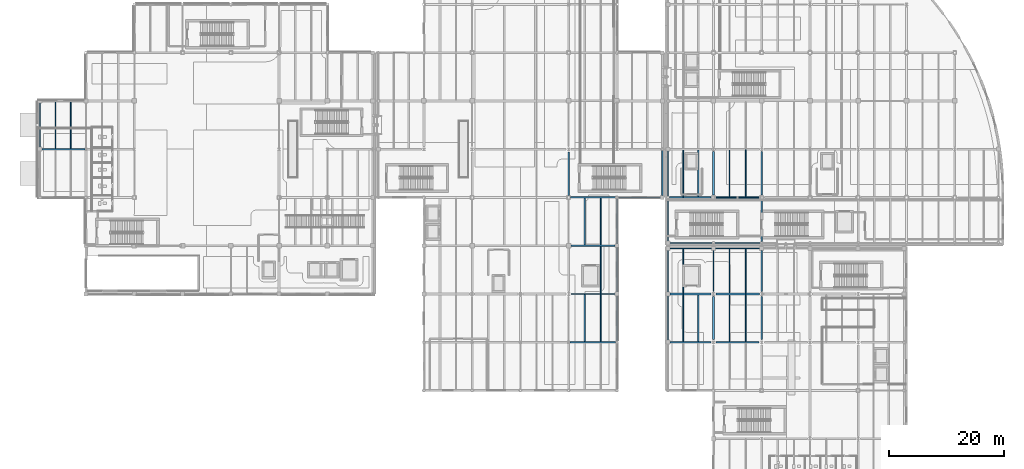
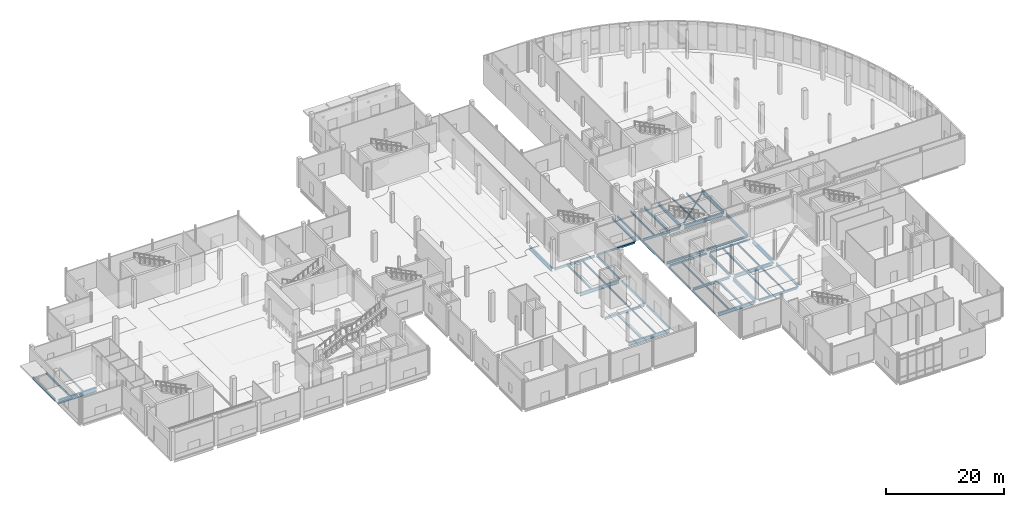
# One storey, part 20 of 85: 51 beams, 2 members.
"""IFC4 building model written with IfcOpenShell, lengths in metres."""

from ifc_helpers import new_model, si_unit, direction, frame, origin, origin_2d, place, context, subcontext, project, spatial, hollow_rectangle, i_section, extrude, material, material_profile, profile_set, type_object, element, save


model = new_model("IFC4")

# Units and contexts
model_context = context("Model", 3, precision=1e-05, world=origin(), true_north=direction((0.0, 1.0)))
body_context = subcontext(model_context, "Body", "Model", "MODEL_VIEW")
ifc_project = project(units=[si_unit("LENGTHUNIT", "METRE"), si_unit("AREAUNIT", "SQUARE_METRE"), si_unit("VOLUMEUNIT", "CUBIC_METRE"), si_unit("PLANEANGLEUNIT", "RADIAN"), si_unit("MASSUNIT", "GRAM", prefix="KILO"), si_unit("THERMODYNAMICTEMPERATUREUNIT", "KELVIN")], contexts=[model_context])

# Site, building, storey
site_placement = place(None, origin())
site = spatial("IfcSite", under=ifc_project, at=site_placement, CompositionType="ELEMENT")
building_placement = place(site_placement, origin())
building = spatial("IfcBuilding", under=site, at=building_placement, Name="Lustrewick Department Store", CompositionType="ELEMENT")
storey_placement = place(building_placement, origin())
storey = spatial("IfcBuildingStorey", under=building, at=storey_placement, Name="L01", CompositionType="ELEMENT", Elevation=0.0)

# Beams
ifc_material_1 = material(Name="Structural steel Q355B", Category="steel")
ifc_material_profile_1 = material_profile(ifc_material_1, i_section(OverallWidth=0.199951171875, OverallDepth=0.5, WebThickness=0.010009765625, FlangeThickness=0.01611328125, FilletRadius=0.01611328125, at=origin_2d()), Name="HN 500x200x10x16")
ifc_profile_set_1 = profile_set([ifc_material_profile_1], Name="Structural steel Q355B")
beam_type_1 = type_object("IfcBeamType", Name="B01", PredefinedType="JOIST", material=ifc_profile_set_1)
beam_1_placement = place(storey_placement, frame((114.966796875, 33.75, -0.52001953125), z_axis=(0.0, 1.0, 0.0), x_axis=(-1.0, 0.0, 0.0)))
element("IfcBeam", 1, at=beam_1_placement, inside=storey, type_object=beam_type_1, Name="L01 V3 Secondary Joist B01", PredefinedType="JOIST", context=body_context, shape_type="SweptSolid", body=[
    extrude(i_section(OverallWidth=0.199951171875, OverallDepth=0.5, WebThickness=0.010009765625, FlangeThickness=0.01611328125, FilletRadius=0.01611328125, at=origin_2d()), origin(), (0.0, 0.0, 1.0), 8.10009765625),
])
beam_2_placement = place(storey_placement, frame((114.966796875, 58.925048828125, -0.52001953125), z_axis=(0.0, 1.0, 0.0), x_axis=(-1.0, 0.0, 0.0)))
element("IfcBeam", 2, at=beam_2_placement, inside=storey, type_object=beam_type_1, Name="L01 V4 Secondary Joist B01", PredefinedType="JOIST", context=body_context, shape_type="SweptSolid", body=[
    extrude(i_section(OverallWidth=0.199951171875, OverallDepth=0.5, WebThickness=0.010009765625, FlangeThickness=0.01611328125, FilletRadius=0.01611328125, at=origin_2d()), origin(), (0.0, 0.0, 1.0), 8.125),
])
ifc_material_profile_2 = material_profile(ifc_material_1, i_section(OverallWidth=0.199951171875, OverallDepth=0.39990234375, WebThickness=0.008056640625, FlangeThickness=0.012939453125, FilletRadius=0.013916015625, at=origin_2d()), Name="HN 400x200x8x13")
ifc_profile_set_2 = profile_set([ifc_material_profile_2], Name="Structural steel Q355B")
beam_type_2 = type_object("IfcBeamType", Name="B05", PredefinedType="JOIST", material=ifc_profile_set_2)
beam_3_placement = place(storey_placement, frame((3.066650390625, 67.35107421875, -0.469970703125), z_axis=(0.0, 1.0, 0.0), x_axis=(-1.0, 0.0, 0.0)))
element("IfcBeam", 3, at=beam_3_placement, inside=storey, type_object=beam_type_2, Name="L01 V1 Secondary Joist B05", PredefinedType="JOIST", context=body_context, shape_type="SweptSolid", body=[
    extrude(i_section(OverallWidth=0.199951171875, OverallDepth=0.39990234375, WebThickness=0.008056640625, FlangeThickness=0.012939453125, FilletRadius=0.013916015625, at=origin_2d()), origin(), (0.0, 0.0, 1.0), 8.098876953125),
])
beam_4_placement = place(storey_placement, frame((120.39990234375, 33.72509765625, -0.469970703125), z_axis=(0.0, 1.0, 0.0), x_axis=(-1.0, 0.0, 0.0)))
element("IfcBeam", 4, at=beam_4_placement, inside=storey, type_object=beam_type_2, Name="L01 V3 Secondary Joist B05", PredefinedType="JOIST", context=body_context, shape_type="SweptSolid", body=[
    extrude(i_section(OverallWidth=0.199951171875, OverallDepth=0.39990234375, WebThickness=0.008056640625, FlangeThickness=0.012939453125, FilletRadius=0.013916015625, at=origin_2d()), origin(), (0.0, 0.0, 1.0), 8.125),
])
beam_5_placement = place(storey_placement, frame((120.39990234375, 42.14990234375, -0.469970703125), z_axis=(0.0, 1.0, 0.0), x_axis=(-1.0, 0.0, 0.0)))
element("IfcBeam", 5, at=beam_5_placement, inside=storey, type_object=beam_type_2, Name="L01 V3 Secondary Joist B05", PredefinedType="JOIST", context=body_context, shape_type="SweptSolid", body=[
    extrude(i_section(OverallWidth=0.199951171875, OverallDepth=0.39990234375, WebThickness=0.008056640625, FlangeThickness=0.012939453125, FilletRadius=0.013916015625, at=origin_2d()), origin(), (0.0, 0.0, 1.0), 7.650146484375),
])
beam_6_placement = place(storey_placement, frame((120.39990234375, 58.950927734375, -0.469970703125), z_axis=(0.0, 1.0, 0.0), x_axis=(-1.0, 0.0, 0.0)))
element("IfcBeam", 6, at=beam_6_placement, inside=storey, type_object=beam_type_2, Name="L01 V4 Secondary Joist B05", PredefinedType="JOIST", context=body_context, shape_type="SweptSolid", body=[
    extrude(i_section(OverallWidth=0.199951171875, OverallDepth=0.39990234375, WebThickness=0.008056640625, FlangeThickness=0.012939453125, FilletRadius=0.013916015625, at=origin_2d()), origin(), (0.0, 0.0, 1.0), 8.1240234375),
])
ifc_material_profile_3 = material_profile(ifc_material_1, i_section(OverallWidth=0.198974609375, OverallDepth=0.39599609375, WebThickness=0.007080078125, FlangeThickness=0.010986328125, FilletRadius=0.013916015625, at=origin_2d()), Name="HN 396x199x7x11")
ifc_profile_set_3 = profile_set([ifc_material_profile_3], Name="Structural steel Q355B")
beam_type_3 = type_object("IfcBeamType", Name="B06", PredefinedType="JOIST", material=ifc_profile_set_3)
for number, where, z_axis, x_axis, name in (
    (7, (95.199951171875, 33.75, -0.468017578125), (0.0, 1.0, 0.0), (-1.0, 0.0, 0.0), "L01 V2 Secondary Joist B06"),
    (8, (95.199951171875, 50.550048828125, -0.468017578125), (0.0, 1.0, 0.0), (-1.0, 0.0, 0.0), "L01 V2 Secondary Joist B06"),
):
    element("IfcBeam", number, at=place(storey_placement, frame(where, z_axis=z_axis, x_axis=x_axis)), inside=storey, type_object=beam_type_3, Name=name, PredefinedType="JOIST", context=body_context, shape_type="SweptSolid", body=[
        extrude(i_section(OverallWidth=0.198974609375, OverallDepth=0.39599609375, WebThickness=0.007080078125, FlangeThickness=0.010986328125, FilletRadius=0.013916015625, at=origin_2d()), origin(), (0.0, 0.0, 1.0), 8.125),
    ])
ifc_material_profile_4 = material_profile(ifc_material_1, i_section(OverallWidth=0.175048828125, OverallDepth=0.35009765625, WebThickness=0.007080078125, FlangeThickness=0.010986328125, FilletRadius=0.012939453125, at=origin_2d()), Name="HN 350x175x7x11")
ifc_profile_set_4 = profile_set([ifc_material_profile_4], Name="Structural steel Q355B")
beam_type_4 = type_object("IfcBeamType", Name="B09", PredefinedType="JOIST", material=ifc_profile_set_4)
beam_7_placement = place(storey_placement, frame((5.7333984375, 67.35107421875, -0.445068359375), z_axis=(0.0, 1.0, 0.0), x_axis=(-1.0, 0.0, 0.0)))
element("IfcBeam", 9, at=beam_7_placement, inside=storey, type_object=beam_type_4, Name="L01 V1 Secondary Joist B09", PredefinedType="JOIST", context=body_context, shape_type="SweptSolid", body=[
    extrude(i_section(OverallWidth=0.175048828125, OverallDepth=0.35009765625, WebThickness=0.007080078125, FlangeThickness=0.010986328125, FilletRadius=0.012939453125, at=origin_2d()), origin(), (0.0, 0.0, 1.0), 8.098876953125),
])
beam_8_placement = place(storey_placement, frame((123.199951171875, 33.72509765625, -0.445068359375), z_axis=(0.0, 1.0, 0.0), x_axis=(-1.0, 0.0, 0.0)))
element("IfcBeam", 10, at=beam_8_placement, inside=storey, type_object=beam_type_4, Name="L01 V3 Secondary Joist B09", PredefinedType="JOIST", context=body_context, shape_type="SweptSolid", body=[
    extrude(i_section(OverallWidth=0.175048828125, OverallDepth=0.35009765625, WebThickness=0.007080078125, FlangeThickness=0.010986328125, FilletRadius=0.012939453125, at=origin_2d()), origin(), (0.0, 0.0, 1.0), 8.125),
])
beam_9_placement = place(storey_placement, frame((123.199951171875, 42.14990234375, -0.445068359375), z_axis=(0.0, 1.0, 0.0), x_axis=(-1.0, 0.0, 0.0)))
element("IfcBeam", 11, at=beam_9_placement, inside=storey, type_object=beam_type_4, Name="L01 V3 Secondary Joist B09", PredefinedType="JOIST", context=body_context, shape_type="SweptSolid", body=[
    extrude(i_section(OverallWidth=0.175048828125, OverallDepth=0.35009765625, WebThickness=0.007080078125, FlangeThickness=0.010986328125, FilletRadius=0.012939453125, at=origin_2d()), origin(), (0.0, 0.0, 1.0), 7.650146484375),
])
beam_10_placement = place(storey_placement, frame((123.199951171875, 58.950927734375, -0.445068359375), z_axis=(0.0, 1.0, 0.0), x_axis=(-1.0, 0.0, 0.0)))
element("IfcBeam", 12, at=beam_10_placement, inside=storey, type_object=beam_type_4, Name="L01 V4 Secondary Joist B09", PredefinedType="JOIST", context=body_context, shape_type="SweptSolid", body=[
    extrude(i_section(OverallWidth=0.175048828125, OverallDepth=0.35009765625, WebThickness=0.007080078125, FlangeThickness=0.010986328125, FilletRadius=0.012939453125, at=origin_2d()), origin(), (0.0, 0.0, 1.0), 8.1240234375),
])
ifc_material_profile_5 = material_profile(ifc_material_1, i_section(OverallWidth=0.174072265625, OverallDepth=0.345947265625, WebThickness=0.006103515625, FlangeThickness=0.009033203125, FilletRadius=0.012939453125, at=origin_2d()), Name="HN 346x174x6x9")
ifc_profile_set_5 = profile_set([ifc_material_profile_5], Name="Structural steel Q355B")
beam_type_5 = type_object("IfcBeamType", Name="B10", PredefinedType="JOIST", material=ifc_profile_set_5)
for number, where, z_axis, x_axis, name in (
    (13, (98.0, 33.75, -0.443115234375), (0.0, 1.0, 0.0), (-1.0, 0.0, 0.0), "L01 V2 Secondary Joist B10"),
    (14, (98.0, 42.125, -0.443115234375), (0.0, 1.0, 0.0), (-1.0, 0.0, 0.0), "L01 V2 Secondary Joist B10"),
    (15, (98.0, 50.550048828125, -0.443115234375), (0.0, 1.0, 0.0), (-1.0, 0.0, 0.0), "L01 V2 Secondary Joist B10"),
):
    element("IfcBeam", number, at=place(storey_placement, frame(where, z_axis=z_axis, x_axis=x_axis)), inside=storey, type_object=beam_type_5, Name=name, PredefinedType="JOIST", context=body_context, shape_type="SweptSolid", body=[
        extrude(i_section(OverallWidth=0.174072265625, OverallDepth=0.345947265625, WebThickness=0.006103515625, FlangeThickness=0.009033203125, FilletRadius=0.012939453125, at=origin_2d()), origin(), (0.0, 0.0, 1.0), 8.125),
    ])
beam_11_placement = place(storey_placement, frame((112.333251953125, 33.75, -0.443115234375), z_axis=(0.0, 1.0, 0.0), x_axis=(-1.0, 0.0, 0.0)))
element("IfcBeam", 16, at=beam_11_placement, inside=storey, type_object=beam_type_5, Name="L01 V3 Secondary Joist B10", PredefinedType="JOIST", context=body_context, shape_type="SweptSolid", body=[
    extrude(i_section(OverallWidth=0.174072265625, OverallDepth=0.345947265625, WebThickness=0.006103515625, FlangeThickness=0.009033203125, FilletRadius=0.012939453125, at=origin_2d()), origin(), (0.0, 0.0, 1.0), 8.10009765625),
])
beam_12_placement = place(storey_placement, frame((112.333251953125, 42.14990234375, -0.443115234375), z_axis=(0.0, 1.0, 0.0), x_axis=(-1.0, 0.0, 0.0)))
element("IfcBeam", 17, at=beam_12_placement, inside=storey, type_object=beam_type_5, Name="L01 V3 Secondary Joist B10", PredefinedType="JOIST", context=body_context, shape_type="SweptSolid", body=[
    extrude(i_section(OverallWidth=0.174072265625, OverallDepth=0.345947265625, WebThickness=0.006103515625, FlangeThickness=0.009033203125, FilletRadius=0.012939453125, at=origin_2d()), origin(), (0.0, 0.0, 1.0), 7.650146484375),
])
beam_13_placement = place(storey_placement, frame((112.333251953125, 58.925048828125, -0.443115234375), z_axis=(0.0, 1.0, 0.0), x_axis=(-1.0, 0.0, 0.0)))
element("IfcBeam", 18, at=beam_13_placement, inside=storey, type_object=beam_type_5, Name="L01 V4 Secondary Joist B10", PredefinedType="JOIST", context=body_context, shape_type="SweptSolid", body=[
    extrude(i_section(OverallWidth=0.174072265625, OverallDepth=0.345947265625, WebThickness=0.006103515625, FlangeThickness=0.009033203125, FilletRadius=0.012939453125, at=origin_2d()), origin(), (0.0, 0.0, 1.0), 8.125),
])

# Members
ifc_material_profile_6 = material_profile(ifc_material_1, hollow_rectangle(XDim=0.219970703125, YDim=0.219970703125, WallThickness=0.010009765625, at=origin_2d()), Name="SHS 220x220x10")
ifc_profile_set_6 = profile_set([ifc_material_profile_6], Name="Structural steel Q355B")
member_type = type_object("IfcMemberType", Name="BR08", PredefinedType="BRACE", material=ifc_profile_set_6)
for number, where, z_axis, x_axis, name in (
    (19, (117.89990234375, 58.800048828125, 0.14990234375), (0.586698234025, 0.0, 0.809805644702), (0.0, 1.0, 0.0), "L01 V4 Chevron Brace BR08"),
    (20, (125.699951171875, 58.800048828125, 0.14990234375), (-0.586698234025, 0.0, 0.809805644702), (0.0, -1.0, 0.0), "L01 V4 Chevron Brace BR08"),
):
    element("IfcMember", number, at=place(storey_placement, frame(where, z_axis=z_axis, x_axis=x_axis)), inside=storey, type_object=member_type, Name=name, PredefinedType="BRACE", context=body_context, shape_type="SweptSolid", body=[
        extrude(hollow_rectangle(XDim=0.219970703125, YDim=0.219970703125, WallThickness=0.010009765625, at=origin_2d()), origin(), (0.0, 0.0, 1.0), 6.47705078125),
    ])

# Beams
ifc_material_2 = material(Name="Structural steel Q355C", Category="steel")
ifc_material_profile_7 = material_profile(ifc_material_2, i_section(OverallWidth=0.302001953125, OverallDepth=0.912109375, WebThickness=0.01806640625, FlangeThickness=0.033935546875, FilletRadius=0.02392578125, at=origin_2d()), Name="HN 912x302x18x34")
ifc_profile_set_7 = profile_set([ifc_material_profile_7], Name="Structural steel Q355C")
beam_type_6 = type_object("IfcBeamType", Name="G01", PredefinedType="BEAM", material=ifc_profile_set_7)
beam_14_placement = place(storey_placement, frame((0.75, 67.199951171875, -0.72607421875), z_axis=(1.0, 0.0, 0.0), x_axis=(0.0, 1.0, 0.0)))
element("IfcBeam", 21, at=beam_14_placement, inside=storey, type_object=beam_type_6, Name="L01 V1 Girder G01", PredefinedType="BEAM", context=body_context, shape_type="SweptSolid", body=[
    extrude(i_section(OverallWidth=0.302001953125, OverallDepth=0.912109375, WebThickness=0.01806640625, FlangeThickness=0.033935546875, FilletRadius=0.02392578125, at=origin_2d()), origin(), (0.0, 0.0, 1.0), 7.446533203125),
])
ifc_material_profile_8 = material_profile(ifc_material_2, i_section(OverallWidth=0.302001953125, OverallDepth=0.80810546875, WebThickness=0.01611328125, FlangeThickness=0.030029296875, FilletRadius=0.02197265625, at=origin_2d()), Name="HN 808x302x16x30")
ifc_profile_set_8 = profile_set([ifc_material_profile_8], Name="Structural steel Q355C")
beam_type_7 = type_object("IfcBeamType", Name="G04", PredefinedType="BEAM", material=ifc_profile_set_8)
beam_15_placement = place(storey_placement, frame((92.39990234375, 59.14990234375, -0.674072265625), z_axis=(0.0, 1.0, 0.0), x_axis=(-1.0, 0.0, 0.0)))
element("IfcBeam", 22, at=beam_15_placement, inside=storey, type_object=beam_type_7, Name="L01 V2 Girder G04", PredefinedType="BEAM", context=body_context, shape_type="SweptSolid", body=[
    extrude(i_section(OverallWidth=0.302001953125, OverallDepth=0.80810546875, WebThickness=0.01611328125, FlangeThickness=0.030029296875, FilletRadius=0.02197265625, at=origin_2d()), origin(), (0.0, 0.0, 1.0), 7.60009765625),
])
beam_16_placement = place(storey_placement, frame((117.60009765625, 34.050048828125, -0.674072265625), z_axis=(0.0, 1.0, 0.0), x_axis=(-1.0, 0.0, 0.0)))
element("IfcBeam", 23, at=beam_16_placement, inside=storey, type_object=beam_type_7, Name="L01 V3 Girder G04", PredefinedType="BEAM", context=body_context, shape_type="SweptSolid", body=[
    extrude(i_section(OverallWidth=0.302001953125, OverallDepth=0.80810546875, WebThickness=0.01611328125, FlangeThickness=0.030029296875, FilletRadius=0.02197265625, at=origin_2d()), origin(), (0.0, 0.0, 1.0), 7.52490234375),
])
beam_17_placement = place(storey_placement, frame((126.0, 42.425048828125, -0.674072265625), z_axis=(0.0, 1.0, 0.0), x_axis=(-1.0, 0.0, 0.0)))
element("IfcBeam", 24, at=beam_17_placement, inside=storey, type_object=beam_type_7, Name="L01 V3 Girder G04", PredefinedType="BEAM", context=body_context, shape_type="SweptSolid", body=[
    extrude(i_section(OverallWidth=0.302001953125, OverallDepth=0.80810546875, WebThickness=0.01611328125, FlangeThickness=0.030029296875, FilletRadius=0.02197265625, at=origin_2d()), origin(), (0.0, 0.0, 1.0), 7.125),
])
beam_18_placement = place(storey_placement, frame((126.0, 59.25, -0.674072265625), z_axis=(0.0, 1.0, 0.0), x_axis=(-1.0, 0.0, 0.0)))
element("IfcBeam", 25, at=beam_18_placement, inside=storey, type_object=beam_type_7, Name="L01 V4 Girder G04", PredefinedType="BEAM", context=body_context, shape_type="SweptSolid", body=[
    extrude(i_section(OverallWidth=0.302001953125, OverallDepth=0.80810546875, WebThickness=0.01611328125, FlangeThickness=0.030029296875, FilletRadius=0.02197265625, at=origin_2d()), origin(), (0.0, 0.0, 1.0), 7.574951171875),
])
ifc_material_profile_9 = material_profile(ifc_material_2, i_section(OverallWidth=0.302001953125, OverallDepth=0.7080078125, WebThickness=0.014892578125, FlangeThickness=0.028076171875, FilletRadius=0.02001953125, at=origin_2d()), Name="HN 708x302x15x28")
ifc_profile_set_9 = profile_set([ifc_material_profile_9], Name="Structural steel Q355C")
beam_type_8 = type_object("IfcBeamType", Name="G07", PredefinedType="BEAM", material=ifc_profile_set_9)
beam_19_placement = place(storey_placement, frame((118.050048828125, 58.800048828125, -0.6240234375), z_axis=(1.0, 0.0, 0.0), x_axis=(0.0, 1.0, 0.0)))
element("IfcBeam", 26, at=beam_19_placement, inside=storey, type_object=beam_type_8, Name="L01 V4 Girder G07", PredefinedType="BEAM", context=body_context, shape_type="SweptSolid", body=[
    extrude(i_section(OverallWidth=0.302001953125, OverallDepth=0.7080078125, WebThickness=0.014892578125, FlangeThickness=0.028076171875, FilletRadius=0.02001953125, at=origin_2d()), origin(), (0.0, 0.0, 1.0), 7.5),
])
ifc_material_profile_10 = material_profile(ifc_material_1, i_section(OverallWidth=0.300048828125, OverallDepth=0.699951171875, WebThickness=0.012939453125, FlangeThickness=0.02392578125, FilletRadius=0.02001953125, at=origin_2d()), Name="HN 700x300x13x24")
ifc_profile_set_10 = profile_set([ifc_material_profile_10], Name="Structural steel Q355B")
beam_type_9 = type_object("IfcBeamType", Name="G08", PredefinedType="BEAM", material=ifc_profile_set_10)
beam_20_placement = place(storey_placement, frame((92.603515625, 33.60009765625, -0.6201171875), z_axis=(1.0, 0.0, 0.0), x_axis=(0.0, 1.0, 0.0)))
element("IfcBeam", 27, at=beam_20_placement, inside=storey, type_object=beam_type_9, Name="L01 V2 Girder G08", PredefinedType="BEAM", context=body_context, shape_type="SweptSolid", body=[
    extrude(i_section(OverallWidth=0.300048828125, OverallDepth=0.699951171875, WebThickness=0.012939453125, FlangeThickness=0.02392578125, FilletRadius=0.02001953125, at=origin_2d()), origin(), (0.0, 0.0, 1.0), 7.968017578125),
])
beam_21_placement = place(storey_placement, frame((92.824951171875, 50.39990234375, -0.6201171875), z_axis=(1.0, 0.0, 0.0), x_axis=(0.0, 1.0, 0.0)))
element("IfcBeam", 28, at=beam_21_placement, inside=storey, type_object=beam_type_9, Name="L01 V2 Girder G08", PredefinedType="BEAM", context=body_context, shape_type="SweptSolid", body=[
    extrude(i_section(OverallWidth=0.300048828125, OverallDepth=0.699951171875, WebThickness=0.012939453125, FlangeThickness=0.02392578125, FilletRadius=0.02001953125, at=origin_2d()), origin(), (0.0, 0.0, 1.0), 7.650146484375),
])
beam_22_placement = place(storey_placement, frame((110.050048828125, 33.60009765625, -0.6201171875), z_axis=(1.0, 0.0, 0.0), x_axis=(0.0, 1.0, 0.0)))
element("IfcBeam", 29, at=beam_22_placement, inside=storey, type_object=beam_type_9, Name="L01 V3 Girder G08", PredefinedType="BEAM", context=body_context, shape_type="SweptSolid", body=[
    extrude(i_section(OverallWidth=0.300048828125, OverallDepth=0.699951171875, WebThickness=0.012939453125, FlangeThickness=0.02392578125, FilletRadius=0.02001953125, at=origin_2d()), origin(), (0.0, 0.0, 1.0), 7.099853515625),
])
beam_23_placement = place(storey_placement, frame((118.02490234375, 42.0, -0.6201171875), z_axis=(1.0, 0.0, 0.0), x_axis=(0.0, 1.0, 0.0)))
element("IfcBeam", 30, at=beam_23_placement, inside=storey, type_object=beam_type_9, Name="L01 V3 Girder G08", PredefinedType="BEAM", context=body_context, shape_type="SweptSolid", body=[
    extrude(i_section(OverallWidth=0.300048828125, OverallDepth=0.699951171875, WebThickness=0.012939453125, FlangeThickness=0.02392578125, FilletRadius=0.02001953125, at=origin_2d()), origin(), (0.0, 0.0, 1.0), 7.550048828125),
])
ifc_material_profile_11 = material_profile(ifc_material_1, i_section(OverallWidth=0.300048828125, OverallDepth=0.58203125, WebThickness=0.011962890625, FlangeThickness=0.01708984375, FilletRadius=0.02392578125, at=origin_2d()), Name="HM 582x300x12x17")
ifc_profile_set_11 = profile_set([ifc_material_profile_11], Name="Structural steel Q355B")
beam_type_10 = type_object("IfcBeamType", Name="G12", PredefinedType="BEAM", material=ifc_profile_set_11)
beam_24_placement = place(storey_placement, frame((117.60009765625, 59.25, -0.56103515625), z_axis=(0.0, 1.0, 0.0), x_axis=(-1.0, 0.0, 0.0)))
element("IfcBeam", 31, at=beam_24_placement, inside=storey, type_object=beam_type_10, Name="L01 V4 Girder G12", PredefinedType="BEAM", context=body_context, shape_type="SweptSolid", body=[
    extrude(i_section(OverallWidth=0.300048828125, OverallDepth=0.58203125, WebThickness=0.011962890625, FlangeThickness=0.01708984375, FilletRadius=0.02392578125, at=origin_2d()), origin(), (0.0, 0.0, 1.0), 7.574951171875),
])
ifc_material_profile_12 = material_profile(ifc_material_1, i_section(OverallWidth=0.200927734375, OverallDepth=0.60595703125, WebThickness=0.011962890625, FlangeThickness=0.02001953125, FilletRadius=0.01806640625, at=origin_2d()), Name="HN 606x201x12x20")
ifc_profile_set_12 = profile_set([ifc_material_profile_12], Name="Structural steel Q355B")
beam_type_11 = type_object("IfcBeamType", Name="G13", PredefinedType="BEAM", material=ifc_profile_set_12)
beam_25_placement = place(storey_placement, frame((117.60009765625, 42.425048828125, -0.572998046875), z_axis=(0.0, 1.0, 0.0), x_axis=(-1.0, 0.0, 0.0)))
element("IfcBeam", 32, at=beam_25_placement, inside=storey, type_object=beam_type_11, Name="L01 V3 Girder G13", PredefinedType="BEAM", context=body_context, shape_type="SweptSolid", body=[
    extrude(i_section(OverallWidth=0.200927734375, OverallDepth=0.60595703125, WebThickness=0.011962890625, FlangeThickness=0.02001953125, FilletRadius=0.01806640625, at=origin_2d()), origin(), (0.0, 0.0, 1.0), 7.125),
])
beam_26_placement = place(storey_placement, frame((126.0, 34.050048828125, -0.572998046875), z_axis=(0.0, 1.0, 0.0), x_axis=(-1.0, 0.0, 0.0)))
element("IfcBeam", 33, at=beam_26_placement, inside=storey, type_object=beam_type_11, Name="L01 V3 Girder G13", PredefinedType="BEAM", context=body_context, shape_type="SweptSolid", body=[
    extrude(i_section(OverallWidth=0.200927734375, OverallDepth=0.60595703125, WebThickness=0.011962890625, FlangeThickness=0.02001953125, FilletRadius=0.01806640625, at=origin_2d()), origin(), (0.0, 0.0, 1.0), 7.52490234375),
])
beam_27_placement = place(storey_placement, frame((126.0, 51.12841796875, -0.572998046875), z_axis=(0.0, 1.0, 0.0), x_axis=(-1.0, 0.0, 0.0)))
element("IfcBeam", 34, at=beam_27_placement, inside=storey, type_object=beam_type_11, Name="L01 V4 Girder G13", PredefinedType="BEAM", context=body_context, shape_type="SweptSolid", body=[
    extrude(i_section(OverallWidth=0.200927734375, OverallDepth=0.60595703125, WebThickness=0.011962890625, FlangeThickness=0.02001953125, FilletRadius=0.01806640625, at=origin_2d()), origin(), (0.0, 0.0, 1.0), 7.2216796875),
])
ifc_material_profile_13 = material_profile(ifc_material_2, hollow_rectangle(XDim=0.25, YDim=0.449951171875, WallThickness=0.013916015625, at=origin_2d()), Name="RHS 450x250x14")
ifc_profile_set_13 = profile_set([ifc_material_profile_13], Name="Structural steel Q355C")
beam_type_12 = type_object("IfcBeamType", Name="G18", PredefinedType="BEAM", material=ifc_profile_set_13)
beam_28_placement = place(storey_placement, frame((92.85009765625, 42.0, -0.4951171875), z_axis=(1.0, 0.0, 0.0), x_axis=(0.0, 1.0, 0.0)))
element("IfcBeam", 35, at=beam_28_placement, inside=storey, type_object=beam_type_12, Name="L01 V2 Girder G18", PredefinedType="BEAM", context=body_context, shape_type="SweptSolid", body=[
    extrude(hollow_rectangle(XDim=0.25, YDim=0.449951171875, WallThickness=0.013916015625, at=origin_2d()), origin(), (0.0, 0.0, 1.0), 7.599853515625),
])
beam_29_placement = place(storey_placement, frame((92.75, 58.800048828125, -0.4951171875), z_axis=(1.0, 0.0, 0.0), x_axis=(0.0, 1.0, 0.0)))
element("IfcBeam", 36, at=beam_29_placement, inside=storey, type_object=beam_type_12, Name="L01 V2 Girder G18", PredefinedType="BEAM", context=body_context, shape_type="SweptSolid", body=[
    extrude(hollow_rectangle(XDim=0.25, YDim=0.449951171875, WallThickness=0.013916015625, at=origin_2d()), origin(), (0.0, 0.0, 1.0), 7.7958984375),
])
beam_30_placement = place(storey_placement, frame((118.050048828125, 33.60009765625, -0.4951171875), z_axis=(1.0, 0.0, 0.0), x_axis=(0.0, 1.0, 0.0)))
element("IfcBeam", 37, at=beam_30_placement, inside=storey, type_object=beam_type_12, Name="L01 V3 Girder G18", PredefinedType="BEAM", context=body_context, shape_type="SweptSolid", body=[
    extrude(hollow_rectangle(XDim=0.25, YDim=0.449951171875, WallThickness=0.013916015625, at=origin_2d()), origin(), (0.0, 0.0, 1.0), 7.5),
])
beam_31_placement = place(storey_placement, frame((109.928466796875, 58.800048828125, -0.4951171875), z_axis=(1.0, 0.0, 0.0), x_axis=(0.0, 1.0, 0.0)))
element("IfcBeam", 38, at=beam_31_placement, inside=storey, type_object=beam_type_12, Name="L01 V4 Girder G18", PredefinedType="BEAM", context=body_context, shape_type="SweptSolid", body=[
    extrude(hollow_rectangle(XDim=0.25, YDim=0.449951171875, WallThickness=0.013916015625, at=origin_2d()), origin(), (0.0, 0.0, 1.0), 7.221435546875),
])
ifc_material_profile_14 = material_profile(ifc_material_1, i_section(OverallWidth=0.300048828125, OverallDepth=0.48193359375, WebThickness=0.010986328125, FlangeThickness=0.014892578125, FilletRadius=0.02197265625, at=origin_2d()), Name="HM 482x300x11x15")
ifc_profile_set_14 = profile_set([ifc_material_profile_14], Name="Structural steel Q355B")
beam_type_13 = type_object("IfcBeamType", Name="G20", PredefinedType="BEAM", material=ifc_profile_set_14)
beam_32_placement = place(storey_placement, frame((110.02490234375, 42.0, -0.510986328125), z_axis=(1.0, 0.0, 0.0), x_axis=(0.0, 1.0, 0.0)))
element("IfcBeam", 39, at=beam_32_placement, inside=storey, type_object=beam_type_13, Name="L01 V3 Girder G20", PredefinedType="BEAM", context=body_context, shape_type="SweptSolid", body=[
    extrude(i_section(OverallWidth=0.300048828125, OverallDepth=0.48193359375, WebThickness=0.010986328125, FlangeThickness=0.014892578125, FilletRadius=0.02197265625, at=origin_2d()), origin(), (0.0, 0.0, 1.0), 7.150146484375),
])
ifc_material_profile_15 = material_profile(ifc_material_1, i_section(OverallWidth=0.200927734375, OverallDepth=0.506103515625, WebThickness=0.010986328125, FlangeThickness=0.01904296875, FilletRadius=0.01611328125, at=origin_2d()), Name="HN 506x201x11x19")
ifc_profile_set_15 = profile_set([ifc_material_profile_15], Name="Structural steel Q355B")
beam_type_14 = type_object("IfcBeamType", Name="SP01", PredefinedType="SPANDREL", material=ifc_profile_set_15)
beam_33_placement = place(storey_placement, frame((0.39990234375, 67.550048828125, -0.52294921875), z_axis=(0.0, 1.0, 0.0), x_axis=(-1.0, 0.0, 0.0)))
element("IfcBeam", 40, at=beam_33_placement, inside=storey, type_object=beam_type_14, Name="L01 V1 Girder SP01", PredefinedType="SPANDREL", context=body_context, shape_type="SweptSolid", body=[
    extrude(i_section(OverallWidth=0.200927734375, OverallDepth=0.506103515625, WebThickness=0.010986328125, FlangeThickness=0.01904296875, FilletRadius=0.01611328125, at=origin_2d()), origin(), (0.0, 0.0, 1.0), 7.724853515625),
])
beam_34_placement = place(storey_placement, frame((110.050048828125, 50.89990234375, -0.52294921875), z_axis=(1.0, 0.0, 0.0), x_axis=(0.0, 1.0, 0.0)))
element("IfcBeam", 41, at=beam_34_placement, inside=storey, type_object=beam_type_14, Name="L01 V4 Girder SP01", PredefinedType="SPANDREL", context=body_context, shape_type="SweptSolid", body=[
    extrude(i_section(OverallWidth=0.200927734375, OverallDepth=0.506103515625, WebThickness=0.010986328125, FlangeThickness=0.01904296875, FilletRadius=0.01611328125, at=origin_2d()), origin(), (0.0, 0.0, 1.0), 7.321533203125),
])
beam_35_placement = place(storey_placement, frame((117.82861328125, 50.89990234375, -0.52294921875), z_axis=(1.0, 0.0, 0.0), x_axis=(0.0, 1.0, 0.0)))
element("IfcBeam", 42, at=beam_35_placement, inside=storey, type_object=beam_type_14, Name="L01 V4 Girder SP01", PredefinedType="SPANDREL", context=body_context, shape_type="SweptSolid", body=[
    extrude(i_section(OverallWidth=0.200927734375, OverallDepth=0.506103515625, WebThickness=0.010986328125, FlangeThickness=0.01904296875, FilletRadius=0.01611328125, at=origin_2d()), origin(), (0.0, 0.0, 1.0), 7.94287109375),
])
ifc_material_profile_16 = material_profile(ifc_material_1, i_section(OverallWidth=0.300048828125, OverallDepth=0.43994140625, WebThickness=0.010986328125, FlangeThickness=0.01806640625, FilletRadius=0.02001953125, at=origin_2d()), Name="HM 440x300x11x18")
ifc_profile_set_16 = profile_set([ifc_material_profile_16], Name="Structural steel Q355B")
beam_type_15 = type_object("IfcBeamType", Name="SP02", PredefinedType="SPANDREL", material=ifc_profile_set_16)
beam_36_placement = place(storey_placement, frame((108.699951171875, 59.125, -0.489990234375), z_axis=(0.0, 1.0, 0.0), x_axis=(-1.0, 0.0, 0.0)))
element("IfcBeam", 43, at=beam_36_placement, inside=storey, type_object=beam_type_15, Name="L01 V2 Girder SP02", PredefinedType="SPANDREL", context=body_context, shape_type="SweptSolid", body=[
    extrude(i_section(OverallWidth=0.300048828125, OverallDepth=0.43994140625, WebThickness=0.010986328125, FlangeThickness=0.01806640625, FilletRadius=0.02001953125, at=origin_2d()), origin(), (0.0, 0.0, 1.0), 7.846435546875),
])
ifc_material_profile_17 = material_profile(ifc_material_2, hollow_rectangle(XDim=0.199951171875, YDim=0.35009765625, WallThickness=0.011962890625, at=origin_2d()), Name="RHS 350x200x12")
ifc_profile_set_17 = profile_set([ifc_material_profile_17], Name="Structural steel Q355C")
beam_type_16 = type_object("IfcBeamType", Name="SP03", PredefinedType="SPANDREL", material=ifc_profile_set_17)
beam_37_placement = place(storey_placement, frame((101.053955078125, 58.800048828125, -0.445068359375), z_axis=(1.0, 0.0, 0.0), x_axis=(0.0, 1.0, 0.0)))
element("IfcBeam", 44, at=beam_37_placement, inside=storey, type_object=beam_type_16, Name="L01 V2 Girder SP03", PredefinedType="SPANDREL", context=body_context, shape_type="SweptSolid", body=[
    extrude(hollow_rectangle(XDim=0.199951171875, YDim=0.35009765625, WallThickness=0.011962890625, at=origin_2d()), origin(), (0.0, 0.0, 1.0), 7.321044921875),
])
beam_38_placement = place(storey_placement, frame((100.800048828125, 33.82861328125, -0.445068359375), z_axis=(0.0, 1.0, 0.0), x_axis=(-1.0, 0.0, 0.0)))
element("IfcBeam", 45, at=beam_38_placement, inside=storey, type_object=beam_type_16, Name="L01 V2 Girder SP03", PredefinedType="SPANDREL", context=body_context, shape_type="SweptSolid", body=[
    extrude(hollow_rectangle(XDim=0.199951171875, YDim=0.35009765625, WallThickness=0.011962890625, at=origin_2d()), origin(), (0.0, 0.0, 1.0), 7.8212890625),
])
beam_39_placement = place(storey_placement, frame((100.800048828125, 42.35009765625, -0.445068359375), z_axis=(0.0, 1.0, 0.0), x_axis=(-1.0, 0.0, 0.0)))
element("IfcBeam", 46, at=beam_39_placement, inside=storey, type_object=beam_type_16, Name="L01 V2 Girder SP03", PredefinedType="SPANDREL", context=body_context, shape_type="SweptSolid", body=[
    extrude(hollow_rectangle(XDim=0.199951171875, YDim=0.35009765625, WallThickness=0.011962890625, at=origin_2d()), origin(), (0.0, 0.0, 1.0), 7.724853515625),
])
beam_40_placement = place(storey_placement, frame((100.800048828125, 50.72509765625, -0.445068359375), z_axis=(0.0, 1.0, 0.0), x_axis=(-1.0, 0.0, 0.0)))
element("IfcBeam", 47, at=beam_40_placement, inside=storey, type_object=beam_type_16, Name="L01 V2 Girder SP03", PredefinedType="SPANDREL", context=body_context, shape_type="SweptSolid", body=[
    extrude(hollow_rectangle(XDim=0.199951171875, YDim=0.35009765625, WallThickness=0.011962890625, at=origin_2d()), origin(), (0.0, 0.0, 1.0), 7.82080078125),
])
beam_41_placement = place(storey_placement, frame((110.02490234375, 49.89990234375, -0.445068359375), z_axis=(1.0, 0.0, 0.0), x_axis=(0.0, 1.0, 0.0)))
element("IfcBeam", 48, at=beam_41_placement, inside=storey, type_object=beam_type_16, Name="L01 V3 Girder SP03", PredefinedType="SPANDREL", context=body_context, shape_type="SweptSolid", body=[
    extrude(hollow_rectangle(XDim=0.199951171875, YDim=0.35009765625, WallThickness=0.011962890625, at=origin_2d()), origin(), (0.0, 0.0, 1.0), 7.22509765625),
])
beam_42_placement = place(storey_placement, frame((117.949951171875, 49.89990234375, -0.445068359375), z_axis=(1.0, 0.0, 0.0), x_axis=(0.0, 1.0, 0.0)))
element("IfcBeam", 49, at=beam_42_placement, inside=storey, type_object=beam_type_16, Name="L01 V3 Girder SP03", PredefinedType="SPANDREL", context=body_context, shape_type="SweptSolid", body=[
    extrude(hollow_rectangle(XDim=0.199951171875, YDim=0.35009765625, WallThickness=0.011962890625, at=origin_2d()), origin(), (0.0, 0.0, 1.0), 7.699951171875),
])
beam_43_placement = place(storey_placement, frame((109.699951171875, 33.949951171875, -0.445068359375), z_axis=(0.0, 1.0, 0.0), x_axis=(-1.0, 0.0, 0.0)))
element("IfcBeam", 50, at=beam_43_placement, inside=storey, type_object=beam_type_16, Name="L01 V3 Girder SP03", PredefinedType="SPANDREL", context=body_context, shape_type="SweptSolid", body=[
    extrude(hollow_rectangle(XDim=0.199951171875, YDim=0.35009765625, WallThickness=0.011962890625, at=origin_2d()), origin(), (0.0, 0.0, 1.0), 7.72509765625),
])
beam_44_placement = place(storey_placement, frame((109.699951171875, 42.324951171875, -0.445068359375), z_axis=(0.0, 1.0, 0.0), x_axis=(-1.0, 0.0, 0.0)))
element("IfcBeam", 51, at=beam_44_placement, inside=storey, type_object=beam_type_16, Name="L01 V3 Girder SP03", PredefinedType="SPANDREL", context=body_context, shape_type="SweptSolid", body=[
    extrude(hollow_rectangle(XDim=0.199951171875, YDim=0.35009765625, WallThickness=0.011962890625, at=origin_2d()), origin(), (0.0, 0.0, 1.0), 7.25),
])
beam_45_placement = place(storey_placement, frame((109.699951171875, 51.25, -0.445068359375), z_axis=(0.0, 1.0, 0.0), x_axis=(-1.0, 0.0, 0.0)))
element("IfcBeam", 52, at=beam_45_placement, inside=storey, type_object=beam_type_16, Name="L01 V4 Girder SP03", PredefinedType="SPANDREL", context=body_context, shape_type="SweptSolid", body=[
    extrude(hollow_rectangle(XDim=0.199951171875, YDim=0.35009765625, WallThickness=0.011962890625, at=origin_2d()), origin(), (0.0, 0.0, 1.0), 7.321533203125),
])
beam_46_placement = place(storey_placement, frame((109.699951171875, 59.028564453125, -0.445068359375), z_axis=(0.0, 1.0, 0.0), x_axis=(-1.0, 0.0, 0.0)))
element("IfcBeam", 53, at=beam_46_placement, inside=storey, type_object=beam_type_16, Name="L01 V4 Girder SP03", PredefinedType="SPANDREL", context=body_context, shape_type="SweptSolid", body=[
    extrude(hollow_rectangle(XDim=0.199951171875, YDim=0.35009765625, WallThickness=0.011962890625, at=origin_2d()), origin(), (0.0, 0.0, 1.0), 7.846435546875),
])

save(model, "model.ifc")
